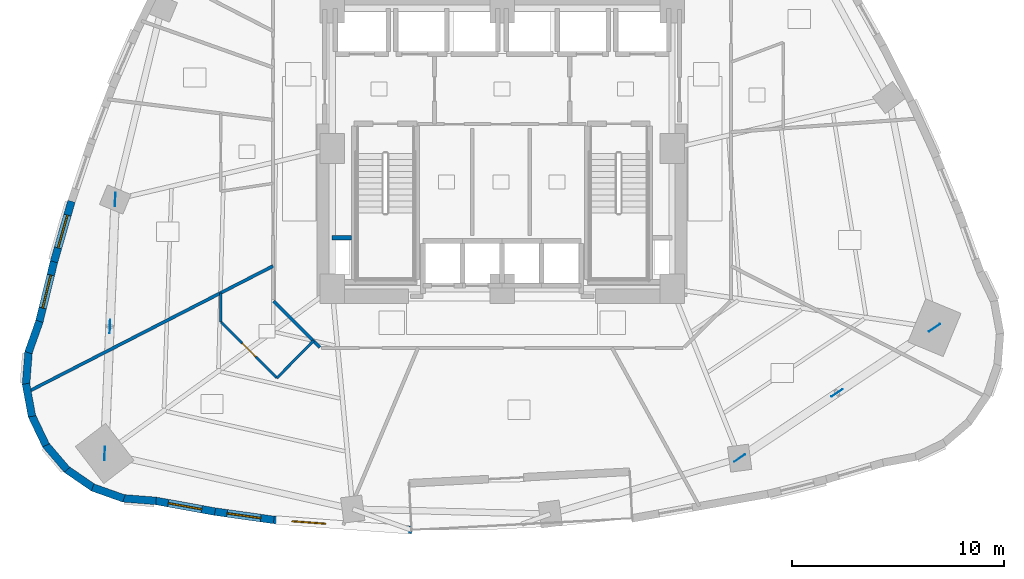
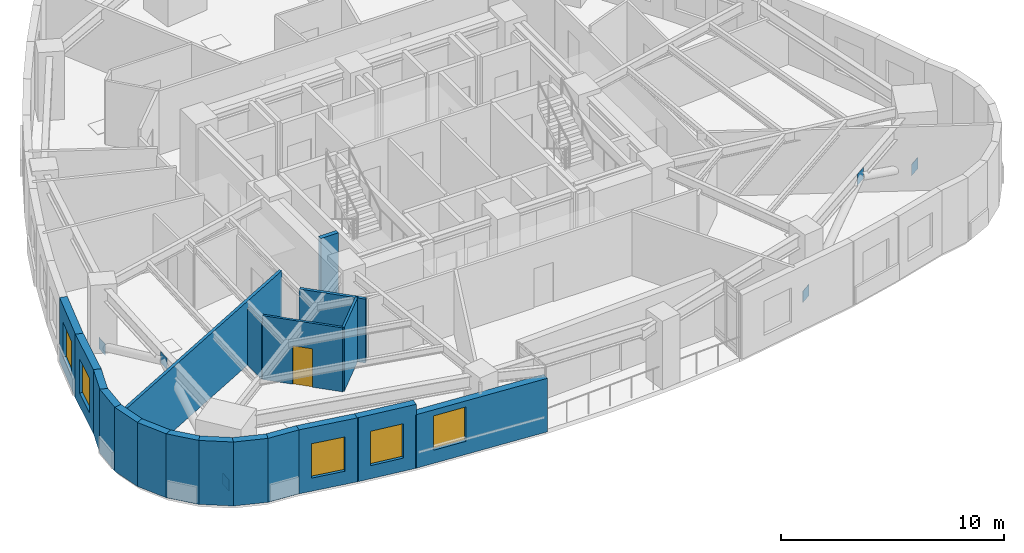
# One storey, part 4 of 11: 19 walls, 6 plates, 5 windows, 1 door, 6 openings.
"""IFC4 building model written with IfcOpenShell, lengths in metres."""

from ifc_helpers import new_model, si_unit, direction, frame, frame_2d, origin, origin_2d, place, context, subcontext, project, spatial, rectangle, extrude, material, layer, layer_set, type_object, element, fill, save


model = new_model("IFC4")

# Units and contexts
model_context = context("Model", 3, precision=1e-05, world=origin(), true_north=direction((0.0, 1.0)))
body_context = subcontext(model_context, "Body", "Model", "MODEL_VIEW")
ifc_project = project(units=[si_unit("LENGTHUNIT", "METRE"), si_unit("AREAUNIT", "SQUARE_METRE"), si_unit("VOLUMEUNIT", "CUBIC_METRE"), si_unit("PLANEANGLEUNIT", "RADIAN"), si_unit("MASSUNIT", "GRAM", prefix="KILO")], contexts=[model_context])

# Site, building, storey
site_placement = place(None, origin())
site = spatial("IfcSite", under=ifc_project, at=site_placement, CompositionType="ELEMENT")
building_placement = place(site_placement, origin())
building = spatial("IfcBuilding", under=site, at=building_placement, Name="Ndelora Gate Hotel", CompositionType="ELEMENT")
storey_placement = place(building_placement, frame((0.0, 0.0, 49.25)))
storey = spatial("IfcBuildingStorey", under=building, at=storey_placement, Name="L11", CompositionType="ELEMENT", Elevation=49.25)

# Plates
ifc_material_1 = material(Name="Steel S355", Category="steel")
ifc_layer_1 = layer(ifc_material_1, 0.02001953125)
ifc_layer_set_1 = layer_set([ifc_layer_1], Name="Steel S355")
plate_type = type_object("IfcPlateType", Name="PL-NODE-VN1", PredefinedType="USERDEFINED", material=ifc_layer_set_1)
for number, where, z_axis, x_axis, name in (
    (1, (-18.207275390625, -2.39697265625, -0.2900390625), (0.0, 0.0, 1.0), (0.041352508522, 0.999144619181, 0.0), "Node gusset cap plate VN1"),
    (2, (-18.701904296875, -14.3505859375, -0.2900390625), (0.0, 0.0, 1.0), (0.041352508522, 0.999144619181, 0.0), "Node gusset cap plate VN1"),
    (3, (-18.45458984375, -8.373779296875, 2.639892578125), (0.0, 0.0, 1.0), (0.041352508522, 0.999144619181, 0.0), "Node gusset cap plate VN1"),
    (4, (11.179443359375, -14.5693359375, -0.2900390625), (0.0, 0.0, 1.0), (0.830984469274, 0.5562956155, 0.0), "Node gusset cap plate VN1"),
    (5, (20.35009765625, -8.42919921875, -0.2900390625), (0.0, 0.0, 1.0), (0.830984469274, 0.5562956155, 0.0), "Node gusset cap plate VN1"),
    (6, (15.764892578125, -11.499267578125, 2.639892578125), (0.0, 0.0, 1.0), (0.830984469274, 0.5562956155, 0.0), "Node gusset cap plate VN1"),
):
    element("IfcPlate", number, at=place(storey_placement, frame(where, z_axis=z_axis, x_axis=x_axis)), inside=storey, type_object=plate_type, Name=name, ObjectType="GUSSET_PLATE", PredefinedType="USERDEFINED", context=body_context, shape_type="SweptSolid", body=[
        extrude(rectangle(XDim=0.6201171875, YDim=0.02001953125, at=origin_2d()), origin(), (0.0, 0.0, 1.0), 0.6201171875),
    ])

# Wall, opening, window
ifc_material_2 = material(Name="Clay Brick Masonry", Category="masonry")
ifc_layer_2 = layer(ifc_material_2, 0.360107421875)
ifc_layer_set_2 = layer_set([ifc_layer_2], Name="Clay Brick Masonry")
wall_type_1 = type_object("IfcWallType", Name="WL-BRICK-360", PredefinedType="SOLIDWALL", material=ifc_layer_set_2)
wall_1_placement = place(storey_placement, frame((-21.087890625, -5.326416015625, 0.0), z_axis=(0.0, 0.0, 1.0), x_axis=(0.277409452725, 0.960751786644, 0.0)))
wall_1 = element("IfcWall", 7, at=wall_1_placement, inside=storey, type_object=wall_type_1, Name="L11 Tower Brick Pier-and-Spandrel Wall TWR-19", PredefinedType="SOLIDWALL", context=body_context, shape_type="SweptSolid", body=[
    extrude(rectangle(XDim=2.96142578125, YDim=0.360107421875, at=frame_2d((1.480712890625, 0.0))), origin(), (0.0, 0.0, 1.0), 3.5),
])
opening_1_placement = place(wall_1_placement, frame((0.6806640625, 0.0, 0.719970703125)))
opening_1 = element("IfcOpeningElement", 8, at=opening_1_placement, cuts=wall_1, Name="Opening W01", PredefinedType="OPENING", context=body_context, shape_type="SweptSolid", body=[
    extrude(rectangle(XDim=1.60009765625, YDim=1.8798828125, at=frame_2d((0.800048828125, 0.93994140625))), frame((0.0, 0.18994140625, 0.0), z_axis=(0.0, -1.0, 0.0), x_axis=(1.0, 0.0, 0.0)), (0.0, 0.0, 1.0), 0.380126953125),
])
ifc_material_3 = material(Name="Insulated Low-E Double Glazing in Bronze Aluminium Frame", Category="aluminium")
window_type_1 = type_object("IfcWindowType", Name="WN-DEEP-1600", PartitioningType="SINGLE_PANEL", PredefinedType="WINDOW", material=ifc_material_3)
window_1_placement = place(opening_1_placement, origin())
window_1 = element("IfcWindow", 9, at=window_1_placement, inside=storey, type_object=window_type_1, Name="L11 Deep-Set Brick-Pier Window W01", OverallHeight=1.8798828125, OverallWidth=1.60009765625, PartitioningType="SINGLE_PANEL", PredefinedType="WINDOW", context=body_context, shape_type="SweptSolid", body=[
    extrude(rectangle(XDim=1.60009765625, YDim=1.8798828125, at=frame_2d((0.800048828125, 0.93994140625))), frame((0.0, 0.030029296875, 0.0), z_axis=(0.0, -1.0, 0.0), x_axis=(1.0, 0.0, 0.0)), (0.0, 0.0, 1.0), 0.06005859375),
])
fill(opening_1, window_1)

wall_2_placement = place(storey_placement, frame((-21.785888671875, -8.17919921875, 0.0), z_axis=(0.0, 0.0, 1.0), x_axis=(0.237936398685, 0.971280737058, 0.0)))
wall_2 = element("IfcWall", 10, at=wall_2_placement, inside=storey, type_object=wall_type_1, Name="L11 Tower Brick Pier-and-Spandrel Wall TWR-20", PredefinedType="SOLIDWALL", context=body_context, shape_type="SweptSolid", body=[
    extrude(rectangle(XDim=2.98681640625, YDim=0.360107421875, at=frame_2d((1.493408203125, 0.0))), origin(), (0.0, 0.0, 1.0), 3.5),
])
opening_2_placement = place(wall_2_placement, frame((0.693603515625, 0.0, 0.719970703125)))
opening_2 = element("IfcOpeningElement", 11, at=opening_2_placement, cuts=wall_2, Name="Opening W01", PredefinedType="OPENING", context=body_context, shape_type="SweptSolid", body=[
    extrude(rectangle(XDim=1.60009765625, YDim=1.8798828125, at=frame_2d((0.800048828125, 0.93994140625))), frame((0.0, 0.18994140625, 0.0), z_axis=(0.0, -1.0, 0.0), x_axis=(1.0, 0.0, 0.0)), (0.0, 0.0, 1.0), 0.380126953125),
])
window_2_placement = place(opening_2_placement, origin())
window_2 = element("IfcWindow", 12, at=window_2_placement, inside=storey, type_object=window_type_1, Name="L11 Deep-Set Brick-Pier Window W01", OverallHeight=1.8798828125, OverallWidth=1.60009765625, PartitioningType="SINGLE_PANEL", PredefinedType="WINDOW", context=body_context, shape_type="SweptSolid", body=[
    extrude(rectangle(XDim=1.60009765625, YDim=1.8798828125, at=frame_2d((0.800048828125, 0.93994140625))), frame((0.0, 0.030029296875, 0.0), z_axis=(0.0, -1.0, 0.0), x_axis=(1.0, 0.0, 0.0)), (0.0, 0.0, 1.0), 0.06005859375),
])
fill(opening_2, window_2)

# Walls
wall_3_placement = place(storey_placement, frame((-22.293701171875, -9.605712890625, 0.0), z_axis=(0.0, 0.0, 1.0), x_axis=(0.333734446931, 0.942667130503, 0.0)))
element("IfcWall", 13, at=wall_3_placement, inside=storey, type_object=wall_type_1, Name="L11 Tower Brick Pier-and-Spandrel Wall TWR-21", PredefinedType="SOLIDWALL", context=body_context, shape_type="SweptSolid", body=[
    extrude(rectangle(XDim=1.56396484375, YDim=0.360107421875, at=frame_2d((0.781982421875, 0.0))), origin(), (0.0, 0.0, 1.0), 3.5),
])
wall_4_placement = place(storey_placement, frame((-22.40625, -11.11669921875, 0.0), z_axis=(0.0, 0.0, 1.0), x_axis=(0.078510627557, 0.99691327675, 0.0)))
element("IfcWall", 14, at=wall_4_placement, inside=storey, type_object=wall_type_1, Name="L11 Tower Brick Pier-and-Spandrel Wall TWR-22", PredefinedType="SOLIDWALL", context=body_context, shape_type="SweptSolid", body=[
    extrude(rectangle(XDim=1.564208984375, YDim=0.360107421875, at=frame_2d((0.7822265625, 0.0))), origin(), (0.0, 0.0, 1.0), 3.5),
])
for number, where, z_axis, x_axis, name in (
    (15, (-22.123779296875, -12.60498046875, 0.0), (0.0, 0.0, 1.0), (-0.182318428527, 0.983239538779, 0.0), "L11 Tower Brick Pier-and-Spandrel Wall TWR-23"),
    (16, (-21.4658203125, -13.969482421875, 0.0), (0.0, 0.0, 1.0), (-0.430527307026, 0.902577552294, 0.0), "L11 Tower Brick Pier-and-Spandrel Wall TWR-24"),
):
    element("IfcWall", number, at=place(storey_placement, frame(where, z_axis=z_axis, x_axis=x_axis)), inside=storey, type_object=wall_type_1, Name=name, PredefinedType="SOLIDWALL", context=body_context, shape_type="SweptSolid", body=[
        extrude(rectangle(XDim=1.56396484375, YDim=0.360107421875, at=frame_2d((0.781982421875, 0.0))), origin(), (0.0, 0.0, 1.0), 3.5),
    ])
for number, where, z_axis, x_axis, name in (
    (17, (-20.47705078125, -15.117431640625, 0.0), (0.0, 0.0, 1.0), (-0.649440729305, 0.760412216577, 0.0), "L11 Tower Brick Pier-and-Spandrel Wall TWR-25"),
    (18, (-19.224853515625, -15.97021484375, 0.0), (0.0, 0.0, 1.0), (-0.824114783412, 0.56642283125, 0.0), "L11 Tower Brick Pier-and-Spandrel Wall TWR-26"),
):
    element("IfcWall", number, at=place(storey_placement, frame(where, z_axis=z_axis, x_axis=x_axis)), inside=storey, type_object=wall_type_1, Name=name, PredefinedType="SOLIDWALL", context=body_context, shape_type="SweptSolid", body=[
        extrude(rectangle(XDim=1.564208984375, YDim=0.360107421875, at=frame_2d((0.7822265625, 0.0))), origin(), (0.0, 0.0, 1.0), 3.5),
    ])
wall_5_placement = place(storey_placement, frame((-17.794677734375, -16.4697265625, 0.0), z_axis=(0.0, 0.0, 1.0), x_axis=(-0.942667130503, 0.333734446931, 0.0)))
element("IfcWall", 19, at=wall_5_placement, inside=storey, type_object=wall_type_1, Name="L11 Tower Brick Pier-and-Spandrel Wall TWR-27", PredefinedType="SOLIDWALL", context=body_context, shape_type="SweptSolid", body=[
    extrude(rectangle(XDim=1.56396484375, YDim=0.360107421875, at=frame_2d((0.781982421875, 0.0))), origin(), (0.0, 0.0, 1.0), 3.5),
])
wall_6_placement = place(storey_placement, frame((-16.28369140625, -16.582275390625, 0.0), z_axis=(0.0, 0.0, 1.0), x_axis=(-0.99691327675, 0.078510627557, 0.0)))
element("IfcWall", 20, at=wall_6_placement, inside=storey, type_object=wall_type_1, Name="L11 Tower Brick Pier-and-Spandrel Wall TWR-28", PredefinedType="SOLIDWALL", context=body_context, shape_type="SweptSolid", body=[
    extrude(rectangle(XDim=1.564208984375, YDim=0.360107421875, at=frame_2d((0.7822265625, 0.0))), origin(), (0.0, 0.0, 1.0), 3.5),
])

# Wall, opening, window
wall_7_placement = place(storey_placement, frame((-13.50927734375, -17.087890625, 0.0), z_axis=(0.0, 0.0, 1.0), x_axis=(-0.983946038972, 0.17846622199, 0.0)))
wall_7 = element("IfcWall", 21, at=wall_7_placement, inside=storey, type_object=wall_type_1, Name="L11 Tower Brick Pier-and-Spandrel Wall TWR-29", PredefinedType="SOLIDWALL", context=body_context, shape_type="SweptSolid", body=[
    extrude(rectangle(XDim=2.8701171875, YDim=0.360107421875, at=frame_2d((1.43505859375, 0.0))), origin(), (0.0, 0.0, 1.0), 3.5),
])
opening_3_placement = place(wall_7_placement, frame((0.635009765625, 0.0, 0.719970703125)))
opening_3 = element("IfcOpeningElement", 22, at=opening_3_placement, cuts=wall_7, Name="Opening W03", PredefinedType="OPENING", context=body_context, shape_type="SweptSolid", body=[
    extrude(rectangle(XDim=1.60009765625, YDim=1.8798828125, at=frame_2d((0.800048828125, 0.93994140625))), frame((0.0, 0.18994140625, 0.0), z_axis=(0.0, -1.0, 0.0), x_axis=(1.0, 0.0, 0.0)), (0.0, 0.0, 1.0), 0.380126953125),
])
window_type_2 = type_object("IfcWindowType", Name="WN-CORN-2100", PartitioningType="SINGLE_PANEL", PredefinedType="WINDOW", material=ifc_material_3)
window_3_placement = place(opening_3_placement, origin())
window_3 = element("IfcWindow", 23, at=window_3_placement, inside=storey, type_object=window_type_2, Name="L11 Deep-Set Brick-Pier Window W03", OverallHeight=1.8798828125, OverallWidth=1.60009765625, PartitioningType="SINGLE_PANEL", PredefinedType="WINDOW", context=body_context, shape_type="SweptSolid", body=[
    extrude(rectangle(XDim=1.60009765625, YDim=1.8798828125, at=frame_2d((0.800048828125, 0.93994140625))), frame((0.0, 0.030029296875, 0.0), z_axis=(0.0, -1.0, 0.0), x_axis=(1.0, 0.0, 0.0)), (0.0, 0.0, 1.0), 0.06005859375),
])
fill(opening_3, window_3)

wall_8_placement = place(storey_placement, frame((-10.740234375, -17.4775390625, 0.0), z_axis=(0.0, 0.0, 1.0), x_axis=(-0.99018993195, 0.139727945179, 0.0)))
wall_8 = element("IfcWall", 24, at=wall_8_placement, inside=storey, type_object=wall_type_1, Name="L11 Tower Brick Pier-and-Spandrel Wall TWR-30", PredefinedType="SOLIDWALL", context=body_context, shape_type="SweptSolid", body=[
    extrude(rectangle(XDim=2.84619140625, YDim=0.360107421875, at=frame_2d((1.423095703125, 0.0))), origin(), (0.0, 0.0, 1.0), 3.5),
])
opening_4_placement = place(wall_8_placement, frame((0.623291015625, 0.0, 0.719970703125)))
opening_4 = element("IfcOpeningElement", 25, at=opening_4_placement, cuts=wall_8, Name="Opening W01", PredefinedType="OPENING", context=body_context, shape_type="SweptSolid", body=[
    extrude(rectangle(XDim=1.60009765625, YDim=1.8798828125, at=frame_2d((0.800048828125, 0.93994140625))), frame((0.0, 0.18994140625, 0.0), z_axis=(0.0, -1.0, 0.0), x_axis=(1.0, 0.0, 0.0)), (0.0, 0.0, 1.0), 0.380126953125),
])
window_4_placement = place(opening_4_placement, origin())
window_4 = element("IfcWindow", 26, at=window_4_placement, inside=storey, type_object=window_type_1, Name="L11 Deep-Set Brick-Pier Window W01", OverallHeight=1.8798828125, OverallWidth=1.60009765625, PartitioningType="SINGLE_PANEL", PredefinedType="WINDOW", context=body_context, shape_type="SweptSolid", body=[
    extrude(rectangle(XDim=1.60009765625, YDim=1.8798828125, at=frame_2d((0.800048828125, 0.93994140625))), frame((0.0, 0.030029296875, 0.0), z_axis=(0.0, -1.0, 0.0), x_axis=(1.0, 0.0, 0.0)), (0.0, 0.0, 1.0), 0.06005859375),
])
fill(opening_4, window_4)

wall_9_placement = place(storey_placement, frame((-4.241455078125, -17.951416015625, 0.0), z_axis=(0.0, 0.0, 1.0), x_axis=(-0.997332601372, 0.072990973697, 0.0)))
wall_9 = element("IfcWall", 27, at=wall_9_placement, inside=storey, type_object=wall_type_1, Name="L11 Tower Brick Pier-and-Spandrel Wall TWR-31", PredefinedType="SOLIDWALL", context=body_context, shape_type="SweptSolid", body=[
    extrude(rectangle(XDim=6.56591796875, YDim=0.360107421875, at=frame_2d((3.282958984375, 0.0))), origin(), (0.0, 0.0, 1.0), 2.929931640625),
])
opening_5_placement = place(wall_9_placement, frame((4.06005859375, 0.0, 0.719970703125)))
opening_5 = element("IfcOpeningElement", 28, at=opening_5_placement, cuts=wall_9, Name="Opening W01", PredefinedType="OPENING", context=body_context, shape_type="SweptSolid", body=[
    extrude(rectangle(XDim=1.60009765625, YDim=1.8798828125, at=frame_2d((0.800048828125, 0.93994140625))), frame((0.0, 0.18994140625, 0.0), z_axis=(0.0, -1.0, 0.0), x_axis=(1.0, 0.0, 0.0)), (0.0, 0.0, 1.0), 0.380126953125),
])
window_5_placement = place(opening_5_placement, origin())
window_5 = element("IfcWindow", 29, at=window_5_placement, inside=storey, type_object=window_type_1, Name="L11 Deep-Set Brick-Pier Window W01", OverallHeight=1.8798828125, OverallWidth=1.60009765625, PartitioningType="SINGLE_PANEL", PredefinedType="WINDOW", context=body_context, shape_type="SweptSolid", body=[
    extrude(rectangle(XDim=1.60009765625, YDim=1.8798828125, at=frame_2d((0.800048828125, 0.93994140625))), frame((0.0, 0.030029296875, 0.0), z_axis=(0.0, -1.0, 0.0), x_axis=(1.0, 0.0, 0.0)), (0.0, 0.0, 1.0), 0.06005859375),
])
fill(opening_5, window_5)

# Walls
ifc_material_4 = material(Name="Fire-Rated Gypsum Stud Partition", Category="gypsum")
ifc_layer_3 = layer(ifc_material_4, 0.14990234375)
ifc_layer_set_3 = layer_set([ifc_layer_3], Name="Fire-Rated Gypsum Stud Partition")
wall_type_2 = type_object("IfcWallType", Name="WL-PART-150", PredefinedType="PARTITIONING", material=ifc_layer_set_3)
wall_10_placement = place(storey_placement, frame((-8.578369140625, -9.351806640625, 0.0), z_axis=(0.0, 0.0, 1.0), x_axis=(-0.707067066127, 0.707146494016, 0.0)))
element("IfcWall", 30, at=wall_10_placement, inside=storey, type_object=wall_type_2, Name="L11 Interior Wall IW-5", PredefinedType="PARTITIONING", context=body_context, shape_type="SweptSolid", body=[
    extrude(rectangle(XDim=3.07373046875, YDim=0.14990234375, at=frame_2d((1.536865234375, 0.0))), origin(), (0.0, 0.0, 1.0), 3.5),
])
wall_11_placement = place(storey_placement, frame((-10.780029296875, -5.529541015625, 0.0), z_axis=(0.0, 0.0, 1.0), x_axis=(-0.889778319353, -0.456392969281, 0.0)))
element("IfcWall", 31, at=wall_11_placement, inside=storey, type_object=wall_type_2, Name="L11 Interior Wall IW-5", PredefinedType="PARTITIONING", context=body_context, shape_type="SweptSolid", body=[
    extrude(rectangle(XDim=12.98828125, YDim=0.14990234375, at=frame_2d((6.494140625, 0.0))), origin(), (0.0, 0.0, 1.0), 3.5),
])
ifc_material_5 = material(Name="Concrete C40/50", Category="concrete")
ifc_layer_4 = layer(ifc_material_5, 0.219970703125)
ifc_layer_set_4 = layer_set([ifc_layer_4], Name="Concrete C40/50")
wall_type_3 = type_object("IfcWallType", Name="WL-SHAFT-220", PredefinedType="PARTITIONING", material=ifc_layer_set_4)
wall_12_placement = place(storey_placement, frame((-8.0, -4.199951171875, 0.0), z_axis=(0.0, 0.0, 1.0), x_axis=(1.0, 0.0, 0.0)))
element("IfcWall", 32, at=wall_12_placement, inside=storey, type_object=wall_type_3, Name="L11 Interior Wall IW-1", PredefinedType="PARTITIONING", context=body_context, shape_type="SweptSolid", body=[
    extrude(rectangle(XDim=0.909912109375, YDim=0.219970703125, at=frame_2d((0.455078125, 0.0))), origin(), (0.0, 0.0, 1.0), 3.5),
])
ifc_material_6 = material(Name="Moisture-Resistant Bathroom Tile Partition", Category="gypsum")
ifc_layer_5 = layer(ifc_material_6, 0.1201171875)
ifc_layer_set_5 = layer_set([ifc_layer_5], Name="Moisture-Resistant Bathroom Tile Partition")
wall_type_4 = type_object("IfcWallType", Name="WL-WET-120", PredefinedType="PARTITIONING", material=ifc_layer_set_5)
wall_13_placement = place(storey_placement, frame((-10.596435546875, -10.798583984375, 0.0), z_axis=(0.0, 0.0, 1.0), x_axis=(0.700399102338, 0.713751425529, 0.0)))
element("IfcWall", 33, at=wall_13_placement, inside=storey, type_object=wall_type_4, Name="L11 Interior Wall IW-7", PredefinedType="PARTITIONING", context=body_context, shape_type="SweptSolid", body=[
    extrude(rectangle(XDim=2.4501953125, YDim=0.1201171875, at=frame_2d((1.22509765625, 0.0))), origin(), (0.0, 0.0, 1.0), 3.5),
])

# Wall, opening, door
wall_14_placement = place(storey_placement, frame((-10.596435546875, -10.798583984375, 0.0), z_axis=(0.0, 0.0, 1.0), x_axis=(-0.707074006069, 0.707139554785, 0.0)))
wall_14 = element("IfcWall", 34, at=wall_14_placement, inside=storey, type_object=wall_type_4, Name="L11 Interior Wall IW-7", PredefinedType="PARTITIONING", context=body_context, shape_type="SweptSolid", body=[
    extrude(rectangle(XDim=3.724609375, YDim=0.1201171875, at=frame_2d((1.8623046875, 0.0))), origin(), (0.0, 0.0, 1.0), 3.5),
])
opening_6_placement = place(wall_14_placement, frame((1.40234375, 0.0, 0.0)))
opening_6 = element("IfcOpeningElement", 35, at=opening_6_placement, cuts=wall_14, Name="Opening D03", PredefinedType="OPENING", context=body_context, shape_type="SweptSolid", body=[
    extrude(rectangle(XDim=0.919921875, YDim=2.10009765625, at=frame_2d((0.4599609375, 1.050048828125))), frame((0.0, 0.070068359375, 0.0), z_axis=(0.0, -1.0, 0.0), x_axis=(1.0, 0.0, 0.0)), (0.0, 0.0, 1.0), 0.14013671875),
])
ifc_material_7 = material(Name="Moisture-Resistant Hardwood En-Suite Door", Category="wood")
door_type = type_object("IfcDoorType", Name="DR-BATH-920", OperationType="SINGLE_SWING_LEFT", PredefinedType="DOOR", material=ifc_material_7)
door_placement = place(opening_6_placement, origin())
door = element("IfcDoor", 36, at=door_placement, inside=storey, type_object=door_type, Name="L11 En-suite Bathroom 1402 Door", OperationType="SINGLE_SWING_LEFT", OverallHeight=2.10009765625, OverallWidth=0.919921875, PredefinedType="DOOR", context=body_context, shape_type="SweptSolid", body=[
    extrude(rectangle(XDim=0.919921875, YDim=2.10009765625, at=frame_2d((0.4599609375, 1.050048828125))), frame((0.0, 0.02490234375, 0.0), z_axis=(0.0, -1.0, 0.0), x_axis=(1.0, 0.0, 0.0)), (0.0, 0.0, 1.0), 0.050048828125),
])
fill(opening_6, door)

# Wall
wall_15_placement = place(storey_placement, frame((-13.22998046875, -6.7861328125, 0.0), z_axis=(0.0, 0.0, 1.0), x_axis=(0.0, -1.0, 0.0)))
element("IfcWall", 37, at=wall_15_placement, inside=storey, type_object=wall_type_4, Name="L11 Interior Wall IW-7", PredefinedType="PARTITIONING", context=body_context, shape_type="SweptSolid", body=[
    extrude(rectangle(XDim=1.378662109375, YDim=0.1201171875, at=frame_2d((0.689453125, 0.0))), origin(), (0.0, 0.0, 1.0), 3.1201171875),
])

save(model, "model.ifc")
